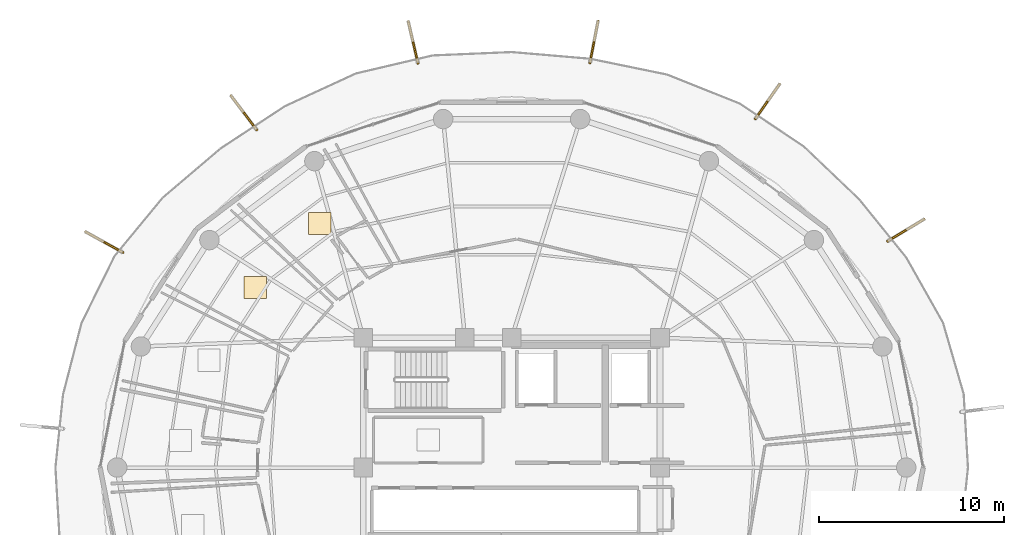
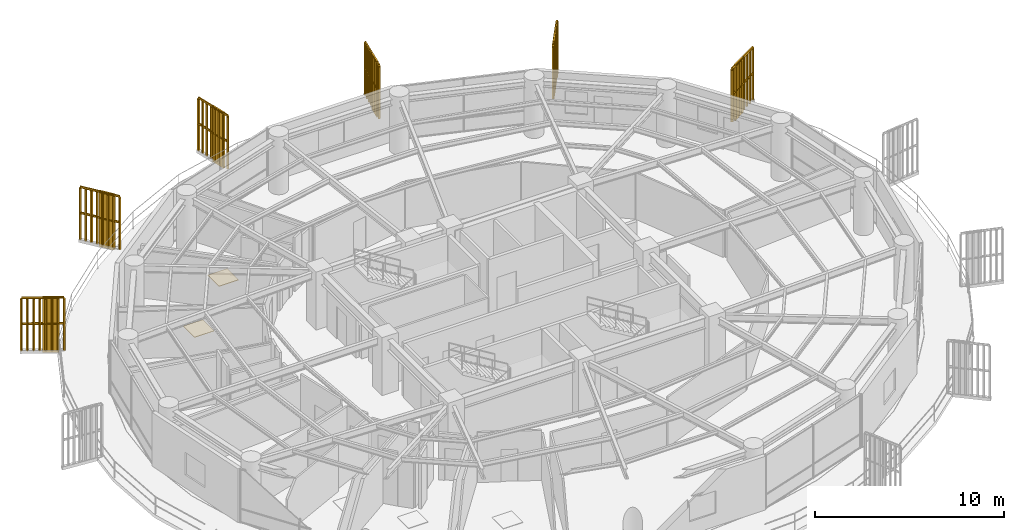
# One storey, part 30 of 30: 6 railings, 6 shading devices, 2 coverings.
"""IFC4 building model written with IfcOpenShell, lengths in metres."""

from ifc_helpers import new_model, si_unit, direction, frame, origin, origin_2d, place, context, subcontext, project, spatial, polyline, rectangle, outline, extrude, source, transform, mapped, material, layer, layer_set, type_object, element, save


model = new_model("IFC4")

# Units and contexts
model_context = context("Model", 3, precision=1e-05, world=origin(), true_north=direction((0.0, 1.0)))
body_context = subcontext(model_context, "Body", "Model", "MODEL_VIEW")
ifc_project = project(units=[si_unit("LENGTHUNIT", "METRE"), si_unit("AREAUNIT", "SQUARE_METRE"), si_unit("VOLUMEUNIT", "CUBIC_METRE"), si_unit("PLANEANGLEUNIT", "RADIAN"), si_unit("MASSUNIT", "GRAM", prefix="KILO")], contexts=[model_context])

# Site, building, storey
site_placement = place(None, origin())
site = spatial("IfcSite", under=ifc_project, at=site_placement, CompositionType="ELEMENT")
building_placement = place(site_placement, origin())
building = spatial("IfcBuilding", under=site, at=building_placement, Name="Kelanora Arch Commons", CompositionType="ELEMENT")
storey_placement = place(building_placement, frame((0.0, 0.0, 234.449951171875)))
storey = spatial("IfcBuildingStorey", under=building, at=storey_placement, Name="L60", CompositionType="ELEMENT", Elevation=234.449951171875)

# Railings
ifc_material_1 = material(Name="Anodised bronze vertical shading fin rib assembly")
railing_type = type_object("IfcRailingType", Name="RAIL-FIN-BRZ", PredefinedType="BALUSTRADE", material=ifc_material_1)
railing_1_placement = place(storey_placement, frame((94.281494140625, 70.2119140625, -0.02001953125)))
element("IfcRailing", 1, at=railing_1_placement, inside=storey, type_object=railing_type, Name="Sweeping Bronze Vertical Fin Blade L60-03", PredefinedType="BALUSTRADE", context=body_context, shape_type="SweptSolid", body=[
    extrude(outline(polyline([(0.06982421875, 0.0), (0.034912109375, 0.060546875), (-0.034912109375, 0.060546875), (-0.06982421875, 0.0), (-0.034912109375, -0.060546875), (0.034912109375, -0.060546875), (0.06982421875, 0.0)])), frame((0.0, 0.0, 3.419921875), z_axis=(0.856668878769, 0.515866680595, 0.0), x_axis=(-0.515866680595, 0.856668878769, 0.0)), (0.0, 0.0, 1.0), 2.27734375),
    extrude(outline(polyline([(0.06982421875, 0.0), (0.034912109375, 0.060546875), (-0.034912109375, 0.060546875), (-0.06982421875, 0.0), (-0.034912109375, -0.060546875), (0.034912109375, -0.060546875), (0.06982421875, 0.0)])), frame((0.0, 0.0, 1.7451171875), z_axis=(0.856668878769, 0.515866680595, 0.0), x_axis=(-0.515866680595, 0.856668878769, 0.0)), (0.0, 0.0, 1.0), 2.27734375),
    extrude(outline(polyline([(0.080078125, 0.0), (0.0400390625, 0.0693359375), (-0.0400390625, 0.0693359375), (-0.080078125, 0.0), (-0.0400390625, -0.0693359375), (0.0400390625, -0.0693359375), (0.080078125, 0.0)])), origin(), (0.0, 0.0, 1.0), 3.35009765625),
    extrude(outline(polyline([(0.080078125, 0.0), (0.0400390625, 0.0693359375), (-0.0400390625, 0.0693359375), (-0.080078125, 0.0), (-0.0400390625, -0.0693359375), (0.0400390625, -0.0693359375), (0.080078125, 0.0)])), frame((0.27880859375, 0.167724609375, 0.0)), (0.0, 0.0, 1.0), 3.35009765625),
    extrude(outline(polyline([(0.080078125, 0.0), (0.0400390625, 0.0693359375), (-0.0400390625, 0.0693359375), (-0.080078125, 0.0), (-0.0400390625, -0.0693359375), (0.0400390625, -0.0693359375), (0.080078125, 0.0)])), frame((0.557373046875, 0.335693359375, 0.0)), (0.0, 0.0, 1.0), 3.35009765625),
    extrude(outline(polyline([(0.080078125, 0.0), (0.0400390625, 0.0693359375), (-0.0400390625, 0.0693359375), (-0.080078125, 0.0), (-0.0400390625, -0.0693359375), (0.0400390625, -0.0693359375), (0.080078125, 0.0)])), frame((0.836181640625, 0.50341796875, 0.0)), (0.0, 0.0, 1.0), 3.35009765625),
    extrude(outline(polyline([(0.080078125, 0.0), (0.0400390625, 0.0693359375), (-0.0400390625, 0.0693359375), (-0.080078125, 0.0), (-0.0400390625, -0.0693359375), (0.0400390625, -0.0693359375), (0.080078125, 0.0)])), frame((1.11474609375, 0.67138671875, 0.0)), (0.0, 0.0, 1.0), 3.35009765625),
    extrude(outline(polyline([(0.080078125, 0.0), (0.0400390625, 0.0693359375), (-0.0400390625, 0.0693359375), (-0.080078125, 0.0), (-0.0400390625, -0.0693359375), (0.0400390625, -0.0693359375), (0.080078125, 0.0)])), frame((1.3935546875, 0.839111328125, 0.0)), (0.0, 0.0, 1.0), 3.35009765625),
    extrude(outline(polyline([(0.080078125, 0.0), (0.0400390625, 0.0693359375), (-0.0400390625, 0.0693359375), (-0.080078125, 0.0), (-0.0400390625, -0.0693359375), (0.0400390625, -0.0693359375), (0.080078125, 0.0)])), frame((1.672119140625, 1.007080078125, 0.0)), (0.0, 0.0, 1.0), 3.35009765625),
    extrude(outline(polyline([(0.080078125, 0.0), (0.0400390625, 0.0693359375), (-0.0400390625, 0.0693359375), (-0.080078125, 0.0), (-0.0400390625, -0.0693359375), (0.0400390625, -0.0693359375), (0.080078125, 0.0)])), frame((1.950927734375, 1.1748046875, 0.0)), (0.0, 0.0, 1.0), 3.35009765625),
])
railing_2_placement = place(storey_placement, frame((87.139404296875, 76.802001953125, -0.02001953125)))
element("IfcRailing", 2, at=railing_2_placement, inside=storey, type_object=railing_type, Name="Sweeping Bronze Vertical Fin Blade L60-04", PredefinedType="BALUSTRADE", context=body_context, shape_type="SweptSolid", body=[
    extrude(outline(polyline([(0.06982421875, 0.0), (0.034912109375, 0.060546875), (-0.034912109375, 0.060546875), (-0.06982421875, 0.0), (-0.034912109375, -0.060546875), (0.034912109375, -0.060546875), (0.06982421875, 0.0)])), frame((0.0, 0.0, 3.419921875), z_axis=(0.572800215745, 0.819695012088, 0.0), x_axis=(-0.819695012088, 0.572800215745, 0.0)), (0.0, 0.0, 1.0), 2.27734375),
    extrude(outline(polyline([(0.06982421875, 0.0), (0.034912109375, 0.060546875), (-0.034912109375, 0.060546875), (-0.06982421875, 0.0), (-0.034912109375, -0.060546875), (0.034912109375, -0.060546875), (0.06982421875, 0.0)])), frame((0.0, 0.0, 1.7451171875), z_axis=(0.572800215745, 0.819695012088, 0.0), x_axis=(-0.819695012088, 0.572800215745, 0.0)), (0.0, 0.0, 1.0), 2.27734375),
    extrude(outline(polyline([(0.080078125, 0.0), (0.0400390625, 0.0693359375), (-0.0400390625, 0.0693359375), (-0.080078125, 0.0), (-0.0400390625, -0.0693359375), (0.0400390625, -0.0693359375), (0.080078125, 0.0)])), origin(), (0.0, 0.0, 1.0), 3.35009765625),
    extrude(outline(polyline([(0.080078125, 0.0), (0.0400390625, 0.0693359375), (-0.0400390625, 0.0693359375), (-0.080078125, 0.0), (-0.0400390625, -0.0693359375), (0.0400390625, -0.0693359375), (0.080078125, 0.0)])), frame((0.186279296875, 0.2666015625, 0.0)), (0.0, 0.0, 1.0), 3.35009765625),
    extrude(outline(polyline([(0.080078125, 0.0), (0.0400390625, 0.0693359375), (-0.0400390625, 0.0693359375), (-0.080078125, 0.0), (-0.0400390625, -0.0693359375), (0.0400390625, -0.0693359375), (0.080078125, 0.0)])), frame((0.372802734375, 0.533447265625, 0.0)), (0.0, 0.0, 1.0), 3.35009765625),
    extrude(outline(polyline([(0.080078125, 0.0), (0.0400390625, 0.0693359375), (-0.0400390625, 0.0693359375), (-0.080078125, 0.0), (-0.0400390625, -0.0693359375), (0.0400390625, -0.0693359375), (0.080078125, 0.0)])), frame((0.55908203125, 0.800048828125, 0.0)), (0.0, 0.0, 1.0), 3.35009765625),
    extrude(outline(polyline([(0.080078125, 0.0), (0.0400390625, 0.0693359375), (-0.0400390625, 0.0693359375), (-0.080078125, 0.0), (-0.0400390625, -0.0693359375), (0.0400390625, -0.0693359375), (0.080078125, 0.0)])), frame((0.745361328125, 1.066650390625, 0.0)), (0.0, 0.0, 1.0), 3.35009765625),
    extrude(outline(polyline([(0.080078125, 0.0), (0.0400390625, 0.0693359375), (-0.0400390625, 0.0693359375), (-0.080078125, 0.0), (-0.0400390625, -0.0693359375), (0.0400390625, -0.0693359375), (0.080078125, 0.0)])), frame((0.931640625, 1.333251953125, 0.0)), (0.0, 0.0, 1.0), 3.35009765625),
    extrude(outline(polyline([(0.080078125, 0.0), (0.0400390625, 0.0693359375), (-0.0400390625, 0.0693359375), (-0.080078125, 0.0), (-0.0400390625, -0.0693359375), (0.0400390625, -0.0693359375), (0.080078125, 0.0)])), frame((1.1181640625, 1.60009765625, 0.0)), (0.0, 0.0, 1.0), 3.35009765625),
    extrude(outline(polyline([(0.080078125, 0.0), (0.0400390625, 0.0693359375), (-0.0400390625, 0.0693359375), (-0.080078125, 0.0), (-0.0400390625, -0.0693359375), (0.0400390625, -0.0693359375), (0.080078125, 0.0)])), frame((1.304443359375, 1.86669921875, 0.0)), (0.0, 0.0, 1.0), 3.35009765625),
])
railing_3_placement = place(storey_placement, frame((78.22119140625, 79.824462890625, -0.02001953125)))
element("IfcRailing", 3, at=railing_3_placement, inside=storey, type_object=railing_type, Name="Sweeping Bronze Vertical Fin Blade L60-05", PredefinedType="BALUSTRADE", context=body_context, shape_type="SweptSolid", body=[
    extrude(outline(polyline([(0.06982421875, 0.0), (0.034912109375, 0.060546875), (-0.034912109375, 0.060546875), (-0.06982421875, 0.0), (-0.034912109375, -0.060546875), (0.034912109375, -0.060546875), (0.06982421875, 0.0)])), frame((0.0, 0.0, 3.419921875), z_axis=(0.189988569167, 0.981786302403, 0.0), x_axis=(-0.981786302403, 0.189988569167, 0.0)), (0.0, 0.0, 1.0), 2.277099609375),
    extrude(outline(polyline([(0.06982421875, 0.0), (0.034912109375, 0.060546875), (-0.034912109375, 0.060546875), (-0.06982421875, 0.0), (-0.034912109375, -0.060546875), (0.034912109375, -0.060546875), (0.06982421875, 0.0)])), frame((0.0, 0.0, 1.7451171875), z_axis=(0.189988569167, 0.981786302403, 0.0), x_axis=(-0.981786302403, 0.189988569167, 0.0)), (0.0, 0.0, 1.0), 2.277099609375),
    extrude(outline(polyline([(0.080078125, 0.0), (0.0400390625, 0.0693359375), (-0.0400390625, 0.0693359375), (-0.080078125, 0.0), (-0.0400390625, -0.0693359375), (0.0400390625, -0.0693359375), (0.080078125, 0.0)])), origin(), (0.0, 0.0, 1.0), 3.35009765625),
    extrude(outline(polyline([(0.080078125, 0.0), (0.0400390625, 0.0693359375), (-0.0400390625, 0.0693359375), (-0.080078125, 0.0), (-0.0400390625, -0.0693359375), (0.0400390625, -0.0693359375), (0.080078125, 0.0)])), frame((0.061767578125, 0.3193359375, 0.0)), (0.0, 0.0, 1.0), 3.35009765625),
    extrude(outline(polyline([(0.080078125, 0.0), (0.0400390625, 0.0693359375), (-0.0400390625, 0.0693359375), (-0.080078125, 0.0), (-0.0400390625, -0.0693359375), (0.0400390625, -0.0693359375), (0.080078125, 0.0)])), frame((0.12353515625, 0.638671875, 0.0)), (0.0, 0.0, 1.0), 3.35009765625),
    extrude(outline(polyline([(0.080078125, 0.0), (0.0400390625, 0.0693359375), (-0.0400390625, 0.0693359375), (-0.080078125, 0.0), (-0.0400390625, -0.0693359375), (0.0400390625, -0.0693359375), (0.080078125, 0.0)])), frame((0.185302734375, 0.9580078125, 0.0)), (0.0, 0.0, 1.0), 3.35009765625),
    extrude(outline(polyline([(0.080078125, 0.0), (0.0400390625, 0.0693359375), (-0.0400390625, 0.0693359375), (-0.080078125, 0.0), (-0.0400390625, -0.0693359375), (0.0400390625, -0.0693359375), (0.080078125, 0.0)])), frame((0.247314453125, 1.277587890625, 0.0)), (0.0, 0.0, 1.0), 3.35009765625),
    extrude(outline(polyline([(0.080078125, 0.0), (0.0400390625, 0.0693359375), (-0.0400390625, 0.0693359375), (-0.080078125, 0.0), (-0.0400390625, -0.0693359375), (0.0400390625, -0.0693359375), (0.080078125, 0.0)])), frame((0.30908203125, 1.596923828125, 0.0)), (0.0, 0.0, 1.0), 3.35009765625),
    extrude(outline(polyline([(0.080078125, 0.0), (0.0400390625, 0.0693359375), (-0.0400390625, 0.0693359375), (-0.080078125, 0.0), (-0.0400390625, -0.0693359375), (0.0400390625, -0.0693359375), (0.080078125, 0.0)])), frame((0.370849609375, 1.916259765625, 0.0)), (0.0, 0.0, 1.0), 3.35009765625),
    extrude(outline(polyline([(0.080078125, 0.0), (0.0400390625, 0.0693359375), (-0.0400390625, 0.0693359375), (-0.080078125, 0.0), (-0.0400390625, -0.0693359375), (0.0400390625, -0.0693359375), (0.080078125, 0.0)])), frame((0.4326171875, 2.235595703125, 0.0)), (0.0, 0.0, 1.0), 3.35009765625),
])
railing_4_placement = place(storey_placement, frame((68.943115234375, 79.8125, -0.02001953125)))
element("IfcRailing", 4, at=railing_4_placement, inside=storey, type_object=railing_type, Name="Sweeping Bronze Vertical Fin Blade L60-06", PredefinedType="BALUSTRADE", context=body_context, shape_type="SweptSolid", body=[
    extrude(outline(polyline([(0.06982421875, 0.0), (0.034912109375, 0.060546875), (-0.034912109375, 0.060546875), (-0.06982421875, 0.0), (-0.034912109375, -0.060546875), (0.034912109375, -0.060546875), (0.06982421875, 0.0)])), frame((0.0, 0.0, 3.419921875), z_axis=(-0.225900803825, 0.974150310184, 0.0), x_axis=(-0.974150310184, -0.225900803825, 0.0)), (0.0, 0.0, 1.0), 2.277099609375),
    extrude(outline(polyline([(0.06982421875, 0.0), (0.034912109375, 0.060546875), (-0.034912109375, 0.060546875), (-0.06982421875, 0.0), (-0.034912109375, -0.060546875), (0.034912109375, -0.060546875), (0.06982421875, 0.0)])), frame((0.0, 0.0, 1.7451171875), z_axis=(-0.225900803825, 0.974150310184, 0.0), x_axis=(-0.974150310184, -0.225900803825, 0.0)), (0.0, 0.0, 1.0), 2.277099609375),
    extrude(outline(polyline([(0.080078125, 0.0), (0.0400390625, 0.0693359375), (-0.0400390625, 0.0693359375), (-0.080078125, 0.0), (-0.0400390625, -0.0693359375), (0.0400390625, -0.0693359375), (0.080078125, 0.0)])), origin(), (0.0, 0.0, 1.0), 3.35009765625),
    extrude(outline(polyline([(0.080078125, 0.0), (0.0400390625, 0.0693359375), (-0.0400390625, 0.0693359375), (-0.080078125, 0.0), (-0.0400390625, -0.0693359375), (0.0400390625, -0.0693359375), (0.080078125, 0.0)])), frame((-0.073486328125, 0.31689453125, 0.0)), (0.0, 0.0, 1.0), 3.35009765625),
    extrude(outline(polyline([(0.080078125, 0.0), (0.0400390625, 0.0693359375), (-0.0400390625, 0.0693359375), (-0.080078125, 0.0), (-0.0400390625, -0.0693359375), (0.0400390625, -0.0693359375), (0.080078125, 0.0)])), frame((-0.14697265625, 0.6337890625, 0.0)), (0.0, 0.0, 1.0), 3.35009765625),
    extrude(outline(polyline([(0.080078125, 0.0), (0.0400390625, 0.0693359375), (-0.0400390625, 0.0693359375), (-0.080078125, 0.0), (-0.0400390625, -0.0693359375), (0.0400390625, -0.0693359375), (0.080078125, 0.0)])), frame((-0.220458984375, 0.95068359375, 0.0)), (0.0, 0.0, 1.0), 3.35009765625),
    extrude(outline(polyline([(0.080078125, 0.0), (0.0400390625, 0.0693359375), (-0.0400390625, 0.0693359375), (-0.080078125, 0.0), (-0.0400390625, -0.0693359375), (0.0400390625, -0.0693359375), (0.080078125, 0.0)])), frame((-0.2939453125, 1.267578125, 0.0)), (0.0, 0.0, 1.0), 3.35009765625),
    extrude(outline(polyline([(0.080078125, 0.0), (0.0400390625, 0.0693359375), (-0.0400390625, 0.0693359375), (-0.080078125, 0.0), (-0.0400390625, -0.0693359375), (0.0400390625, -0.0693359375), (0.080078125, 0.0)])), frame((-0.367431640625, 1.58447265625, 0.0)), (0.0, 0.0, 1.0), 3.35009765625),
    extrude(outline(polyline([(0.080078125, 0.0), (0.0400390625, 0.0693359375), (-0.0400390625, 0.0693359375), (-0.080078125, 0.0), (-0.0400390625, -0.0693359375), (0.0400390625, -0.0693359375), (0.080078125, 0.0)])), frame((-0.44091796875, 1.9013671875, 0.0)), (0.0, 0.0, 1.0), 3.35009765625),
    extrude(outline(polyline([(0.080078125, 0.0), (0.0400390625, 0.0693359375), (-0.0400390625, 0.0693359375), (-0.080078125, 0.0), (-0.0400390625, -0.0693359375), (0.0400390625, -0.0693359375), (0.080078125, 0.0)])), frame((-0.514404296875, 2.21826171875, 0.0)), (0.0, 0.0, 1.0), 3.35009765625),
])
railing_5_placement = place(storey_placement, frame((60.2431640625, 76.220947265625, -0.02001953125)))
element("IfcRailing", 5, at=railing_5_placement, inside=storey, type_object=railing_type, Name="Sweeping Bronze Vertical Fin Blade L60-07", PredefinedType="BALUSTRADE", context=body_context, shape_type="SweptSolid", body=[
    extrude(outline(polyline([(0.06982421875, 0.0), (0.034912109375, 0.060546875), (-0.034912109375, 0.060546875), (-0.06982421875, 0.0), (-0.034912109375, -0.060546875), (0.034912109375, -0.060546875), (0.06982421875, 0.0)])), frame((0.0, 0.0, 3.419921875), z_axis=(-0.602587336615, 0.798052944203, 0.0), x_axis=(-0.798052944203, -0.602587336615, 0.0)), (0.0, 0.0, 1.0), 2.27685546875),
    extrude(outline(polyline([(0.06982421875, 0.0), (0.034912109375, 0.060546875), (-0.034912109375, 0.060546875), (-0.06982421875, 0.0), (-0.034912109375, -0.060546875), (0.034912109375, -0.060546875), (0.06982421875, 0.0)])), frame((0.0, 0.0, 1.7451171875), z_axis=(-0.602587336615, 0.798052944203, 0.0), x_axis=(-0.798052944203, -0.602587336615, 0.0)), (0.0, 0.0, 1.0), 2.27685546875),
    extrude(outline(polyline([(0.080078125, 0.0), (0.0400390625, 0.0693359375), (-0.0400390625, 0.0693359375), (-0.080078125, 0.0), (-0.0400390625, -0.0693359375), (0.0400390625, -0.0693359375), (0.080078125, 0.0)])), origin(), (0.0, 0.0, 1.0), 3.35009765625),
    extrude(outline(polyline([(0.080078125, 0.0), (0.0400390625, 0.0693359375), (-0.0400390625, 0.0693359375), (-0.080078125, 0.0), (-0.0400390625, -0.0693359375), (0.0400390625, -0.0693359375), (0.080078125, 0.0)])), frame((-0.196044921875, 0.259521484375, 0.0)), (0.0, 0.0, 1.0), 3.35009765625),
    extrude(outline(polyline([(0.080078125, 0.0), (0.0400390625, 0.0693359375), (-0.0400390625, 0.0693359375), (-0.080078125, 0.0), (-0.0400390625, -0.0693359375), (0.0400390625, -0.0693359375), (0.080078125, 0.0)])), frame((-0.39208984375, 0.519287109375, 0.0)), (0.0, 0.0, 1.0), 3.35009765625),
    extrude(outline(polyline([(0.080078125, 0.0), (0.0400390625, 0.0693359375), (-0.0400390625, 0.0693359375), (-0.080078125, 0.0), (-0.0400390625, -0.0693359375), (0.0400390625, -0.0693359375), (0.080078125, 0.0)])), frame((-0.588134765625, 0.77880859375, 0.0)), (0.0, 0.0, 1.0), 3.35009765625),
    extrude(outline(polyline([(0.080078125, 0.0), (0.0400390625, 0.0693359375), (-0.0400390625, 0.0693359375), (-0.080078125, 0.0), (-0.0400390625, -0.0693359375), (0.0400390625, -0.0693359375), (0.080078125, 0.0)])), frame((-0.783935546875, 1.038330078125, 0.0)), (0.0, 0.0, 1.0), 3.35009765625),
    extrude(outline(polyline([(0.080078125, 0.0), (0.0400390625, 0.0693359375), (-0.0400390625, 0.0693359375), (-0.080078125, 0.0), (-0.0400390625, -0.0693359375), (0.0400390625, -0.0693359375), (0.080078125, 0.0)])), frame((-0.97998046875, 1.2978515625, 0.0)), (0.0, 0.0, 1.0), 3.35009765625),
    extrude(outline(polyline([(0.080078125, 0.0), (0.0400390625, 0.0693359375), (-0.0400390625, 0.0693359375), (-0.080078125, 0.0), (-0.0400390625, -0.0693359375), (0.0400390625, -0.0693359375), (0.080078125, 0.0)])), frame((-1.176025390625, 1.5576171875, 0.0)), (0.0, 0.0, 1.0), 3.35009765625),
    extrude(outline(polyline([(0.080078125, 0.0), (0.0400390625, 0.0693359375), (-0.0400390625, 0.0693359375), (-0.080078125, 0.0), (-0.0400390625, -0.0693359375), (0.0400390625, -0.0693359375), (0.080078125, 0.0)])), frame((-1.3720703125, 1.817138671875, 0.0)), (0.0, 0.0, 1.0), 3.35009765625),
])
railing_6_placement = place(storey_placement, frame((53.024658203125, 69.6015625, -0.02001953125)))
element("IfcRailing", 6, at=railing_6_placement, inside=storey, type_object=railing_type, Name="Sweeping Bronze Vertical Fin Blade L60-08", PredefinedType="BALUSTRADE", context=body_context, shape_type="SweptSolid", body=[
    extrude(outline(polyline([(0.06982421875, 0.0), (0.034912109375, 0.060546875), (-0.034912109375, 0.060546875), (-0.06982421875, 0.0), (-0.034912109375, -0.060546875), (0.034912109375, -0.060546875), (0.06982421875, 0.0)])), frame((0.0, 0.0, 3.419921875), z_axis=(-0.875086213906, 0.483967063168, 0.0), x_axis=(-0.483967063168, -0.875086213906, 0.0)), (0.0, 0.0, 1.0), 2.277099609375),
    extrude(outline(polyline([(0.06982421875, 0.0), (0.034912109375, 0.060546875), (-0.034912109375, 0.060546875), (-0.06982421875, 0.0), (-0.034912109375, -0.060546875), (0.034912109375, -0.060546875), (0.06982421875, 0.0)])), frame((0.0, 0.0, 1.7451171875), z_axis=(-0.875086213906, 0.483967063168, 0.0), x_axis=(-0.483967063168, -0.875086213906, 0.0)), (0.0, 0.0, 1.0), 2.277099609375),
    extrude(outline(polyline([(0.080078125, 0.0), (0.0400390625, 0.0693359375), (-0.0400390625, 0.0693359375), (-0.080078125, 0.0), (-0.0400390625, -0.0693359375), (0.0400390625, -0.0693359375), (0.080078125, 0.0)])), origin(), (0.0, 0.0, 1.0), 3.35009765625),
    extrude(outline(polyline([(0.080078125, 0.0), (0.0400390625, 0.0693359375), (-0.0400390625, 0.0693359375), (-0.080078125, 0.0), (-0.0400390625, -0.0693359375), (0.0400390625, -0.0693359375), (0.080078125, 0.0)])), frame((-0.28466796875, 0.157470703125, 0.0)), (0.0, 0.0, 1.0), 3.35009765625),
    extrude(outline(polyline([(0.080078125, 0.0), (0.0400390625, 0.0693359375), (-0.0400390625, 0.0693359375), (-0.080078125, 0.0), (-0.0400390625, -0.0693359375), (0.0400390625, -0.0693359375), (0.080078125, 0.0)])), frame((-0.5693359375, 0.31494140625, 0.0)), (0.0, 0.0, 1.0), 3.35009765625),
    extrude(outline(polyline([(0.080078125, 0.0), (0.0400390625, 0.0693359375), (-0.0400390625, 0.0693359375), (-0.080078125, 0.0), (-0.0400390625, -0.0693359375), (0.0400390625, -0.0693359375), (0.080078125, 0.0)])), frame((-0.85400390625, 0.472412109375, 0.0)), (0.0, 0.0, 1.0), 3.35009765625),
    extrude(outline(polyline([(0.080078125, 0.0), (0.0400390625, 0.0693359375), (-0.0400390625, 0.0693359375), (-0.080078125, 0.0), (-0.0400390625, -0.0693359375), (0.0400390625, -0.0693359375), (0.080078125, 0.0)])), frame((-1.138671875, 0.629638671875, 0.0)), (0.0, 0.0, 1.0), 3.35009765625),
    extrude(outline(polyline([(0.080078125, 0.0), (0.0400390625, 0.0693359375), (-0.0400390625, 0.0693359375), (-0.080078125, 0.0), (-0.0400390625, -0.0693359375), (0.0400390625, -0.0693359375), (0.080078125, 0.0)])), frame((-1.42333984375, 0.787109375, 0.0)), (0.0, 0.0, 1.0), 3.35009765625),
    extrude(outline(polyline([(0.080078125, 0.0), (0.0400390625, 0.0693359375), (-0.0400390625, 0.0693359375), (-0.080078125, 0.0), (-0.0400390625, -0.0693359375), (0.0400390625, -0.0693359375), (0.080078125, 0.0)])), frame((-1.7080078125, 0.944580078125, 0.0)), (0.0, 0.0, 1.0), 3.35009765625),
    extrude(outline(polyline([(0.080078125, 0.0), (0.0400390625, 0.0693359375), (-0.0400390625, 0.0693359375), (-0.080078125, 0.0), (-0.0400390625, -0.0693359375), (0.0400390625, -0.0693359375), (0.080078125, 0.0)])), frame((-1.99267578125, 1.10205078125, 0.0)), (0.0, 0.0, 1.0), 3.35009765625),
])

# Shading devices
ifc_material_2 = material(Name="Terracotta ceramic-clad extruded aluminium fin", Category="masonry")
shading_device_type = type_object("IfcShadingDeviceType", Name="SHD-FIN-FLARE", PredefinedType="USERDEFINED", material=ifc_material_2)
shared_shape_1 = source(origin(), body_context, "Body", "SweptSolid", [
    extrude(rectangle(XDim=0.8798828125, YDim=0.090087890625, at=origin_2d()), origin(), (0.0, 0.0, 1.0), 3.610107421875),
])
for number, where, z_axis, x_axis, name in (
    (7, (94.8984375, 70.58349609375, -0.14013671875), (0.0, 0.0, 1.0), (0.856717518865, 0.515785898285, 0.0), "Sweeping Terracotta Fin L60-03"),
    (8, (87.552001953125, 77.392333984375, -0.14013671875), (0.0, 0.0, 1.0), (0.572861373028, 0.819652272182, 0.0), "Sweeping Terracotta Fin L60-04"),
    (9, (78.35791015625, 80.531494140625, -0.14013671875), (0.0, 0.0, 1.0), (0.189952291512, 0.981793321911, 0.0), "Sweeping Terracotta Fin L60-05"),
    (10, (68.7802734375, 80.513916015625, -0.14013671875), (0.0, 0.0, 1.0), (-0.225801266869, 0.97417338697, 0.0), "Sweeping Terracotta Fin L60-06"),
    (11, (59.809326171875, 76.795654296875, -0.14013671875), (0.0, 0.0, 1.0), (-0.602511734868, 0.798110023334, 0.0), "Sweeping Terracotta Fin L60-07"),
    (12, (52.39453125, 69.949951171875, -0.14013671875), (0.0, 0.0, 1.0), (-0.875042450261, 0.484046186062, 0.0), "Sweeping Terracotta Fin L60-08"),
):
    element("IfcShadingDevice", number, at=place(storey_placement, frame(where, z_axis=z_axis, x_axis=x_axis)), inside=storey, type_object=shading_device_type, Name=name, ObjectType="FIN", PredefinedType="USERDEFINED", context=body_context, shape_type="MappedRepresentation", body=[
        mapped(shared_shape_1, transform((0.0, 0.0, 0.0), scale=1.0)),
    ])

# Coverings
ifc_material_3 = material(Name="Polished local granite terrazzo flooring", Category="masonry")
ifc_layer = layer(ifc_material_3, 0.030029296875)
ifc_layer_set = layer_set([ifc_layer], Name="Polished local granite terrazzo flooring")
covering_type = type_object("IfcCoveringType", Name="COV-FLR-TER", PredefinedType="FLOORING", material=ifc_layer_set)
shared_shape_2 = source(origin(), body_context, "Body", "SweptSolid", [
    extrude(rectangle(XDim=1.199951171875, YDim=1.199951171875, at=origin_2d()), origin(), (0.0, 0.0, 1.0), 0.030029296875),
])
for number, where, z_axis, x_axis, name in (
    (13, (63.6494140625, 71.154296875, 0.0), (0.0, 0.0, 1.0), (1.0, 0.0, 0.0), "Cluster Bedroom L60-01 Terrazzo Finish"),
    (14, (60.17529296875, 67.714111328125, 0.0), (0.0, 0.0, 1.0), (1.0, 0.0, 0.0), "Social Sky Lounge L60-02 Terrazzo Finish"),
):
    element("IfcCovering", number, at=place(storey_placement, frame(where, z_axis=z_axis, x_axis=x_axis)), inside=storey, type_object=covering_type, Name=name, PredefinedType="FLOORING", context=body_context, shape_type="MappedRepresentation", body=[
        mapped(shared_shape_2, transform((0.0, 0.0, 0.0), scale=1.0)),
    ])

save(model, "model.ifc")
